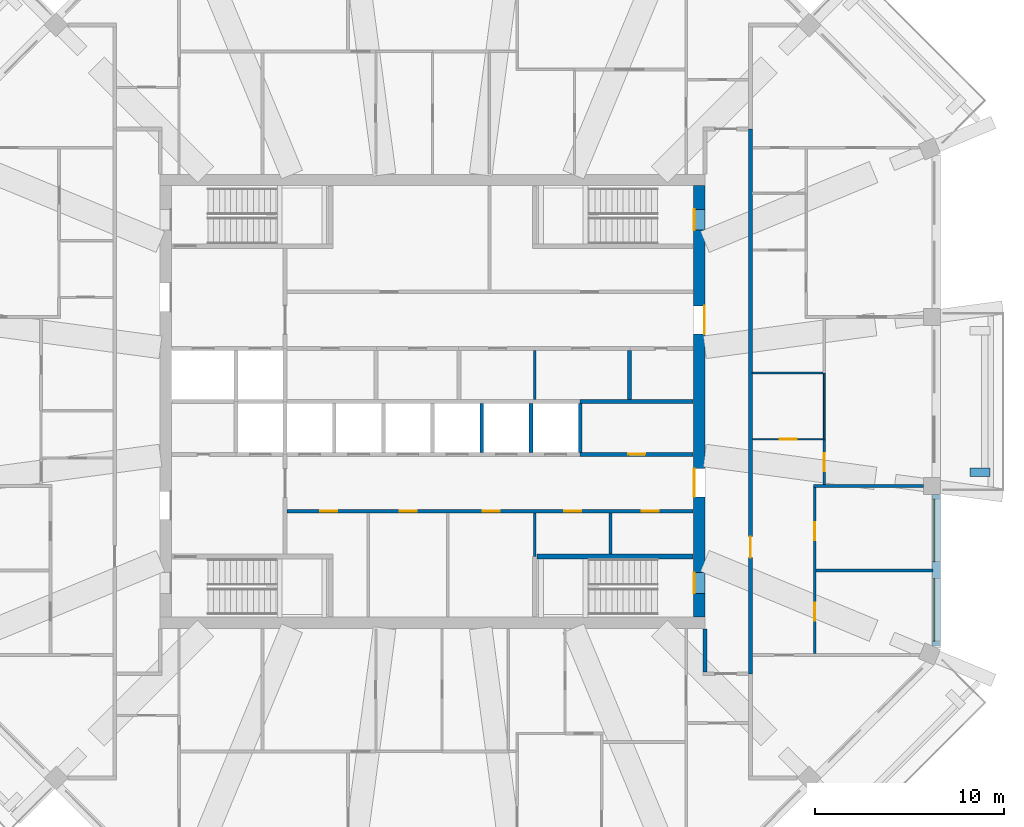
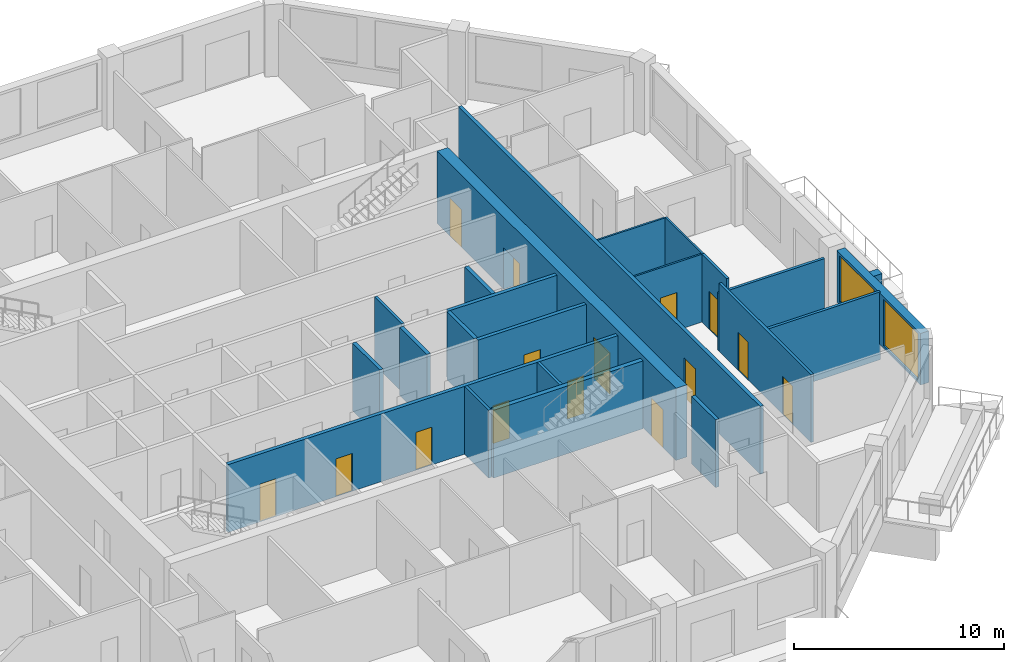
# One storey, part 6 of 12: 23 walls, 15 doors, 2 windows, 17 openings.
"""IFC4 building model written with IfcOpenShell, lengths in metres."""

from ifc_helpers import new_model, si_unit, direction, frame, frame_2d, origin, place, context, subcontext, project, spatial, rectangle, extrude, material, layer, layer_set, type_object, element, fill, save


model = new_model("IFC4")

# Units and contexts
model_context = context("Model", 3, precision=1e-05, world=origin(), true_north=direction((0.0, 1.0)))
body_context = subcontext(model_context, "Body", "Model", "MODEL_VIEW")
ifc_project = project(units=[si_unit("LENGTHUNIT", "METRE"), si_unit("AREAUNIT", "SQUARE_METRE"), si_unit("VOLUMEUNIT", "CUBIC_METRE"), si_unit("PLANEANGLEUNIT", "RADIAN"), si_unit("MASSUNIT", "GRAM", prefix="KILO")], contexts=[model_context])

# Site, building, storey
site_placement = place(None, origin())
site = spatial("IfcSite", under=ifc_project, at=site_placement, CompositionType="ELEMENT")
building_placement = place(site_placement, origin())
building = spatial("IfcBuilding", under=site, at=building_placement, Name="Msitu Wima Residences", CompositionType="ELEMENT")
storey_placement = place(building_placement, frame((0.0, 0.0, 213.89990234375)))
storey = spatial("IfcBuildingStorey", under=building, at=storey_placement, Name="L49", CompositionType="ELEMENT", Elevation=213.89990234375)

# Wall
ifc_material_1 = material(Name="Facing brick")
ifc_layer_1 = layer(ifc_material_1, 0.06494140625, Name="Facing brick")
ifc_material_2 = material(Name="Concrete C40/50", Category="concrete")
ifc_layer_2 = layer(ifc_material_2, 0.156005859375, Name="Concrete C40/50")
ifc_material_3 = material(Name="Waterproofing membrane")
ifc_layer_3 = layer(ifc_material_3, 0.00390625, Name="Waterproofing membrane")
ifc_material_4 = material(Name="Planting soil and planting")
ifc_layer_4 = layer(ifc_material_4, 0.22509765625, Name="Planting soil and planting")
ifc_layer_set_1 = layer_set([ifc_layer_1, ifc_layer_2, ifc_layer_3, ifc_layer_4], Name="Concrete C40/50")
wall_type_1 = type_object("IfcWallType", Name="Balcony planter PLANTER PL450", PredefinedType="USERDEFINED", material=ifc_layer_set_1)
wall_1_placement = place(storey_placement, frame((28.39990234375, -3.74365234375, 0.0), z_axis=(0.0, 0.0, 1.0), x_axis=(1.0, 0.0, 0.0)))
element("IfcWall", 1, at=wall_1_placement, inside=storey, type_object=wall_type_1, Name="Balcony planter E1 L49", ObjectType="PLANTER", PredefinedType="USERDEFINED", context=body_context, shape_type="SweptSolid", body=[
    extrude(rectangle(XDim=1.050048828125, YDim=0.449951171875, at=frame_2d((0.52490234375, 0.0))), origin(), (0.0, 0.0, 1.0), 0.900146484375),
])

# Wall, openings, windows
ifc_material_5 = material(Name="Brick (red buff mix)", Category="masonry")
ifc_layer_5 = layer(ifc_material_5, 0.449951171875)
ifc_layer_set_2 = layer_set([ifc_layer_5], Name="Brick (red buff mix)")
wall_type_2 = type_object("IfcWallType", Name="Brick infill wall BW450", PredefinedType="SOLIDWALL", material=ifc_layer_set_2)
wall_2_placement = place(storey_placement, frame((26.625, -12.918701171875, 0.900146484375), z_axis=(0.0, 0.0, 1.0), x_axis=(0.0, 1.0, 0.0)))
wall_2 = element("IfcWall", 2, at=wall_2_placement, inside=storey, type_object=wall_type_2, Name="Brick infill wall L49 E0", PredefinedType="SOLIDWALL", context=body_context, shape_type="SweptSolid", body=[
    extrude(rectangle(XDim=8.0, YDim=0.449951171875, at=frame_2d((4.0, 0.0))), origin(), (0.0, 0.0, 1.0), 3.0),
])
opening_1_placement = place(wall_2_placement, frame((0.25, 0.0, 0.14990234375)))
opening_1 = element("IfcOpeningElement", 3, at=opening_1_placement, cuts=wall_2, Name="Opening W49.001", PredefinedType="OPENING", context=body_context, shape_type="SweptSolid", body=[
    extrude(rectangle(XDim=3.300048828125, YDim=2.699951171875, at=frame_2d((1.64990234375, 1.35009765625))), frame((0.0, 0.23486328125, 0.0), z_axis=(0.0, -1.0, 0.0), x_axis=(1.0, 0.0, 0.0)), (0.0, 0.0, 1.0), 0.469970703125),
])
opening_2_placement = place(wall_2_placement, frame((4.4501953125, 0.0, 0.14990234375)))
opening_2 = element("IfcOpeningElement", 4, at=opening_2_placement, cuts=wall_2, Name="Opening W49.002", PredefinedType="OPENING", context=body_context, shape_type="SweptSolid", body=[
    extrude(rectangle(XDim=3.300048828125, YDim=2.699951171875, at=frame_2d((1.64990234375, 1.35009765625))), frame((0.0, 0.23486328125, 0.0), z_axis=(0.0, -1.0, 0.0), x_axis=(1.0, 0.0, 0.0)), (0.0, 0.0, 1.0), 0.469970703125),
])
ifc_material_6 = material(Name="Anodised aluminium, bronze finish, clear low-emissivity double glazing", Category="aluminium")
window_type = type_object("IfcWindowType", Name="Window W3300x2700", PartitioningType="DOUBLE_PANEL_VERTICAL", PredefinedType="WINDOW", material=ifc_material_6)
window_1_placement = place(opening_1_placement, origin())
window_1 = element("IfcWindow", 5, at=window_1_placement, inside=storey, type_object=window_type, Name="Window L49 E0.1", OverallHeight=2.699951171875, OverallWidth=3.300048828125, PartitioningType="SINGLE_PANEL", PredefinedType="WINDOW", context=body_context, shape_type="SweptSolid", body=[
    extrude(rectangle(XDim=3.300048828125, YDim=2.699951171875, at=frame_2d((1.64990234375, 1.35009765625))), frame((0.0, 0.135009765625, 0.0), z_axis=(0.0, -1.0, 0.0), x_axis=(1.0, 0.0, 0.0)), (0.0, 0.0, 1.0), 0.06005859375),
])
fill(opening_1, window_1)
window_2_placement = place(opening_2_placement, origin())
window_2 = element("IfcWindow", 6, at=window_2_placement, inside=storey, type_object=window_type, Name="Window L49 E0.2", OverallHeight=2.699951171875, OverallWidth=3.300048828125, PartitioningType="SINGLE_PANEL", PredefinedType="WINDOW", context=body_context, shape_type="SweptSolid", body=[
    extrude(rectangle(XDim=3.300048828125, YDim=2.699951171875, at=frame_2d((1.64990234375, 1.35009765625))), frame((0.0, 0.135009765625, 0.0), z_axis=(0.0, -1.0, 0.0), x_axis=(1.0, 0.0, 0.0)), (0.0, 0.0, 1.0), 0.06005859375),
])
fill(opening_2, window_2)

# Wall, openings, doors
ifc_material_7 = material(Name="Concrete C50/60", Category="concrete")
ifc_layer_6 = layer(ifc_material_7, 0.60009765625)
ifc_layer_set_3 = layer_set([ifc_layer_6], Name="Concrete C50/60")
wall_type_3 = type_object("IfcWallType", Name="Core wall CW600 C50/60", PredefinedType="SHEAR", material=ifc_layer_set_3)
wall_3_placement = place(storey_placement, frame((14.10009765625, -11.39990234375, 0.0), z_axis=(0.0, 0.0, 1.0), x_axis=(0.0, 1.0, 0.0)))
wall_3 = element("IfcWall", 7, at=wall_3_placement, inside=storey, type_object=wall_type_3, Name="Core wall", PredefinedType="SHEAR", context=body_context, shape_type="SweptSolid", body=[
    extrude(rectangle(XDim=22.7998046875, YDim=0.60009765625, at=frame_2d((11.39990234375, 0.0))), origin(), (0.0, 0.0, 1.0), 4.2001953125),
])
opening_3_placement = place(wall_3_placement, frame((20.449951171875, 0.0, 0.0)))
opening_3 = element("IfcOpeningElement", 8, at=opening_3_placement, cuts=wall_3, Name="Opening D49.084", PredefinedType="OPENING", context=body_context, shape_type="SweptSolid", body=[
    extrude(rectangle(XDim=1.10009765625, YDim=2.199951171875, at=frame_2d((0.550048828125, 1.10009765625))), frame((0.0, 0.31005859375, 0.0), z_axis=(0.0, -1.0, 0.0), x_axis=(1.0, 0.0, 0.0)), (0.0, 0.0, 1.0), 0.6201171875),
])
opening_4_placement = place(wall_3_placement, frame((1.25, 0.0, 0.0)))
opening_4 = element("IfcOpeningElement", 9, at=opening_4_placement, cuts=wall_3, Name="Opening D49.085", PredefinedType="OPENING", context=body_context, shape_type="SweptSolid", body=[
    extrude(rectangle(XDim=1.10009765625, YDim=2.199951171875, at=frame_2d((0.550048828125, 1.10009765625))), frame((0.0, 0.31005859375, 0.0), z_axis=(0.0, -1.0, 0.0), x_axis=(1.0, 0.0, 0.0)), (0.0, 0.0, 1.0), 0.6201171875),
])
opening_5_placement = place(wall_3_placement, frame((14.949951171875, 0.0, 0.0)))
opening_5 = element("IfcOpeningElement", 10, at=opening_5_placement, cuts=wall_3, Name="Opening D49.072", PredefinedType="OPENING", context=body_context, shape_type="SweptSolid", body=[
    extrude(rectangle(XDim=1.5, YDim=2.39990234375, at=frame_2d((0.75, 1.199951171875))), frame((0.0, 0.31005859375, 0.0), z_axis=(0.0, -1.0, 0.0), x_axis=(1.0, 0.0, 0.0)), (0.0, 0.0, 1.0), 0.6201171875),
])
opening_6_placement = place(wall_3_placement, frame((6.35009765625, 0.0, 0.0)))
opening_6 = element("IfcOpeningElement", 11, at=opening_6_placement, cuts=wall_3, Name="Opening D49.073", PredefinedType="OPENING", context=body_context, shape_type="SweptSolid", body=[
    extrude(rectangle(XDim=1.5, YDim=2.39990234375, at=frame_2d((0.75, 1.199951171875))), frame((0.0, 0.31005859375, 0.0), z_axis=(0.0, -1.0, 0.0), x_axis=(1.0, 0.0, 0.0)), (0.0, 0.0, 1.0), 0.6201171875),
])
ifc_material_8 = material(Name="Steel framed glazed door, fire resisting", Category="steel")
door_type_1 = type_object("IfcDoorType", Name="Lobby door D07 1500x2400", OperationType="DOUBLE_DOOR_SINGLE_SWING", PredefinedType="DOOR", material=ifc_material_8)
door_1_placement = place(opening_5_placement, origin())
door_1 = element("IfcDoor", 12, at=door_1_placement, inside=storey, type_object=door_type_1, Name="Lobby door", OperationType="DOUBLE_DOOR_SINGLE_SWING", OverallHeight=2.39990234375, OverallWidth=1.5, PredefinedType="DOOR", context=body_context, shape_type="SweptSolid", body=[
    extrude(rectangle(XDim=1.5, YDim=2.39990234375, at=frame_2d((0.75, 1.199951171875))), frame((0.0, -0.2451171875, 0.0), z_axis=(0.0, -1.0, 0.0), x_axis=(1.0, 0.0, 0.0)), (0.0, 0.0, 1.0), 0.050048828125),
])
fill(opening_5, door_1)
door_2_placement = place(opening_6_placement, origin())
door_2 = element("IfcDoor", 13, at=door_2_placement, inside=storey, type_object=door_type_1, Name="Lobby door", OperationType="DOUBLE_DOOR_SINGLE_SWING", OverallHeight=2.39990234375, OverallWidth=1.5, PredefinedType="DOOR", context=body_context, shape_type="SweptSolid", body=[
    extrude(rectangle(XDim=1.5, YDim=2.39990234375, at=frame_2d((0.75, 1.199951171875))), frame((0.0, 0.294921875, 0.0), z_axis=(0.0, -1.0, 0.0), x_axis=(1.0, 0.0, 0.0)), (0.0, 0.0, 1.0), 0.050048828125),
])
fill(opening_6, door_2)
ifc_material_9 = material(Name="Steel door, fire resisting, panic bar", Category="steel")
door_type_2 = type_object("IfcDoorType", Name="Stair door D06 1100x2200", OperationType="SINGLE_SWING_LEFT", PredefinedType="DOOR", material=ifc_material_9)
door_3_placement = place(opening_3_placement, origin())
door_3 = element("IfcDoor", 14, at=door_3_placement, inside=storey, type_object=door_type_2, Name="Stair door", OperationType="SINGLE_SWING_LEFT", OverallHeight=2.199951171875, OverallWidth=1.10009765625, PredefinedType="DOOR", context=body_context, shape_type="SweptSolid", body=[
    extrude(rectangle(XDim=1.10009765625, YDim=2.199951171875, at=frame_2d((0.550048828125, 1.10009765625))), frame((0.0, 0.294921875, 0.0), z_axis=(0.0, -1.0, 0.0), x_axis=(1.0, 0.0, 0.0)), (0.0, 0.0, 1.0), 0.050048828125),
])
fill(opening_3, door_3)
door_4_placement = place(opening_4_placement, origin())
door_4 = element("IfcDoor", 15, at=door_4_placement, inside=storey, type_object=door_type_2, Name="Stair door", OperationType="SINGLE_SWING_RIGHT", OverallHeight=2.199951171875, OverallWidth=1.10009765625, PredefinedType="DOOR", context=body_context, shape_type="SweptSolid", body=[
    extrude(rectangle(XDim=1.10009765625, YDim=2.199951171875, at=frame_2d((0.550048828125, 1.10009765625))), frame((0.0, 0.294921875, 0.0), z_axis=(0.0, -1.0, 0.0), x_axis=(1.0, 0.0, 0.0)), (0.0, 0.0, 1.0), 0.050048828125),
])
fill(opening_4, door_4)

ifc_material_10 = material(Name="Plaster")
ifc_layer_7 = layer(ifc_material_10, 0.011962890625, Name="Plaster")
ifc_material_11 = material(Name="Concrete blockwork", Category="masonry")
ifc_layer_8 = layer(ifc_material_11, 0.176025390625, Name="Concrete blockwork")
ifc_layer_9 = layer(ifc_material_10, 0.011962890625, Name="Plaster")
ifc_layer_set_4 = layer_set([ifc_layer_7, ifc_layer_8, ifc_layer_9], Name="Concrete blockwork")
wall_type_4 = type_object("IfcWallType", Name="Corridor wall FW200", PredefinedType="PARTITIONING", material=ifc_layer_set_4)
wall_4_placement = place(storey_placement, frame((-7.699951171875, -5.800048828125, 0.0), z_axis=(0.0, 0.0, 1.0), x_axis=(1.0, 0.0, 0.0)))
wall_4 = element("IfcWall", 16, at=wall_4_placement, inside=storey, type_object=wall_type_4, Name="Corridor wall", PredefinedType="PARTITIONING", context=body_context, shape_type="SweptSolid", body=[
    extrude(rectangle(XDim=21.469970703125, YDim=0.199951171875, at=frame_2d((10.73486328125, 0.0))), origin(), (0.0, 0.0, 1.0), 3.9501953125),
])
opening_7_placement = place(wall_4_placement, frame((1.75, 0.0, 0.0)))
opening_7 = element("IfcOpeningElement", 17, at=opening_7_placement, cuts=wall_4, Name="Opening D49.067", PredefinedType="OPENING", context=body_context, shape_type="SweptSolid", body=[
    extrude(rectangle(XDim=0.89990234375, YDim=2.199951171875, at=frame_2d((0.449951171875, 1.10009765625))), frame((0.0, 0.10986328125, 0.0), z_axis=(0.0, -1.0, 0.0), x_axis=(1.0, 0.0, 0.0)), (0.0, 0.0, 1.0), 0.219970703125),
])
opening_8_placement = place(wall_4_placement, frame((5.949951171875, 0.0, 0.0)))
opening_8 = element("IfcOpeningElement", 18, at=opening_8_placement, cuts=wall_4, Name="Opening D49.068", PredefinedType="OPENING", context=body_context, shape_type="SweptSolid", body=[
    extrude(rectangle(XDim=0.89990234375, YDim=2.199951171875, at=frame_2d((0.449951171875, 1.10009765625))), frame((0.0, 0.10986328125, 0.0), z_axis=(0.0, -1.0, 0.0), x_axis=(1.0, 0.0, 0.0)), (0.0, 0.0, 1.0), 0.219970703125),
])
opening_9_placement = place(wall_4_placement, frame((10.35009765625, 0.0, 0.0)))
opening_9 = element("IfcOpeningElement", 19, at=opening_9_placement, cuts=wall_4, Name="Opening D49.069", PredefinedType="OPENING", context=body_context, shape_type="SweptSolid", body=[
    extrude(rectangle(XDim=0.89990234375, YDim=2.199951171875, at=frame_2d((0.449951171875, 1.10009765625))), frame((0.0, 0.10986328125, 0.0), z_axis=(0.0, -1.0, 0.0), x_axis=(1.0, 0.0, 0.0)), (0.0, 0.0, 1.0), 0.219970703125),
])
opening_10_placement = place(wall_4_placement, frame((14.64990234375, 0.0, 0.0)))
opening_10 = element("IfcOpeningElement", 20, at=opening_10_placement, cuts=wall_4, Name="Opening D49.070", PredefinedType="OPENING", context=body_context, shape_type="SweptSolid", body=[
    extrude(rectangle(XDim=0.89990234375, YDim=2.199951171875, at=frame_2d((0.449951171875, 1.10009765625))), frame((0.0, 0.10986328125, 0.0), z_axis=(0.0, -1.0, 0.0), x_axis=(1.0, 0.0, 0.0)), (0.0, 0.0, 1.0), 0.219970703125),
])
opening_11_placement = place(wall_4_placement, frame((18.75, 0.0, 0.0)))
opening_11 = element("IfcOpeningElement", 21, at=opening_11_placement, cuts=wall_4, Name="Opening D49.071", PredefinedType="OPENING", context=body_context, shape_type="SweptSolid", body=[
    extrude(rectangle(XDim=0.89990234375, YDim=2.199951171875, at=frame_2d((0.449951171875, 1.10009765625))), frame((0.0, 0.10986328125, 0.0), z_axis=(0.0, -1.0, 0.0), x_axis=(1.0, 0.0, 0.0)), (0.0, 0.0, 1.0), 0.219970703125),
])
ifc_material_12 = material(Name="Timber flush door", Category="wood")
door_type_3 = type_object("IfcDoorType", Name="Service door D05 900x2200", OperationType="SINGLE_SWING_LEFT", PredefinedType="DOOR", material=ifc_material_12)
door_5_placement = place(opening_7_placement, origin())
door_5 = element("IfcDoor", 22, at=door_5_placement, inside=storey, type_object=door_type_3, Name="Service door", OperationType="SINGLE_SWING_LEFT", OverallHeight=2.199951171875, OverallWidth=0.89990234375, PredefinedType="DOOR", context=body_context, shape_type="SweptSolid", body=[
    extrude(rectangle(XDim=0.89990234375, YDim=2.199951171875, at=frame_2d((0.449951171875, 1.10009765625))), frame((0.0, 0.02490234375, 0.0), z_axis=(0.0, -1.0, 0.0), x_axis=(1.0, 0.0, 0.0)), (0.0, 0.0, 1.0), 0.050048828125),
])
fill(opening_7, door_5)
door_6_placement = place(opening_8_placement, origin())
door_6 = element("IfcDoor", 23, at=door_6_placement, inside=storey, type_object=door_type_3, Name="Service door", OperationType="SINGLE_SWING_RIGHT", OverallHeight=2.199951171875, OverallWidth=0.89990234375, PredefinedType="DOOR", context=body_context, shape_type="SweptSolid", body=[
    extrude(rectangle(XDim=0.89990234375, YDim=2.199951171875, at=frame_2d((0.449951171875, 1.10009765625))), frame((0.0, 0.02490234375, 0.0), z_axis=(0.0, -1.0, 0.0), x_axis=(1.0, 0.0, 0.0)), (0.0, 0.0, 1.0), 0.050048828125),
])
fill(opening_8, door_6)
door_7_placement = place(opening_9_placement, origin())
door_7 = element("IfcDoor", 24, at=door_7_placement, inside=storey, type_object=door_type_3, Name="Service door", OperationType="SINGLE_SWING_LEFT", OverallHeight=2.199951171875, OverallWidth=0.89990234375, PredefinedType="DOOR", context=body_context, shape_type="SweptSolid", body=[
    extrude(rectangle(XDim=0.89990234375, YDim=2.199951171875, at=frame_2d((0.449951171875, 1.10009765625))), frame((0.0, 0.02490234375, 0.0), z_axis=(0.0, -1.0, 0.0), x_axis=(1.0, 0.0, 0.0)), (0.0, 0.0, 1.0), 0.050048828125),
])
fill(opening_9, door_7)
door_8_placement = place(opening_10_placement, origin())
door_8 = element("IfcDoor", 25, at=door_8_placement, inside=storey, type_object=door_type_3, Name="Service door", OperationType="SINGLE_SWING_LEFT", OverallHeight=2.199951171875, OverallWidth=0.89990234375, PredefinedType="DOOR", context=body_context, shape_type="SweptSolid", body=[
    extrude(rectangle(XDim=0.89990234375, YDim=2.199951171875, at=frame_2d((0.449951171875, 1.10009765625))), frame((0.0, 0.02490234375, 0.0), z_axis=(0.0, -1.0, 0.0), x_axis=(1.0, 0.0, 0.0)), (0.0, 0.0, 1.0), 0.050048828125),
])
fill(opening_10, door_8)
door_9_placement = place(opening_11_placement, origin())
door_9 = element("IfcDoor", 26, at=door_9_placement, inside=storey, type_object=door_type_3, Name="Service door", OperationType="SINGLE_SWING_RIGHT", OverallHeight=2.199951171875, OverallWidth=0.89990234375, PredefinedType="DOOR", context=body_context, shape_type="SweptSolid", body=[
    extrude(rectangle(XDim=0.89990234375, YDim=2.199951171875, at=frame_2d((0.449951171875, 1.10009765625))), frame((0.0, 0.02490234375, 0.0), z_axis=(0.0, -1.0, 0.0), x_axis=(1.0, 0.0, 0.0)), (0.0, 0.0, 1.0), 0.050048828125),
])
fill(opening_11, door_9)

# Wall
wall_5_placement = place(storey_placement, frame((14.39990234375, -14.300048828125, 0.0), z_axis=(0.0, 0.0, 1.0), x_axis=(0.0, 1.0, 0.0)))
element("IfcWall", 27, at=wall_5_placement, inside=storey, type_object=wall_type_4, Name="Corridor wall", PredefinedType="PARTITIONING", context=body_context, shape_type="SweptSolid", body=[
    extrude(rectangle(XDim=2.27001953125, YDim=0.199951171875, at=frame_2d((1.135009765625, 0.0))), origin(), (0.0, 0.0, 1.0), 3.9501953125),
])

# Wall, opening, door
wall_6_placement = place(storey_placement, frame((16.800048828125, -14.39990234375, 0.0), z_axis=(0.0, 0.0, 1.0), x_axis=(0.0, 1.0, 0.0)))
wall_6 = element("IfcWall", 28, at=wall_6_placement, inside=storey, type_object=wall_type_4, Name="Corridor wall", PredefinedType="PARTITIONING", context=body_context, shape_type="SweptSolid", body=[
    extrude(rectangle(XDim=28.7998046875, YDim=0.199951171875, at=frame_2d((14.39990234375, 0.0))), origin(), (0.0, 0.0, 1.0), 3.9501953125),
])
opening_12_placement = place(wall_6_placement, frame((6.14990234375, 0.0, 0.0)))
opening_12 = element("IfcOpeningElement", 29, at=opening_12_placement, cuts=wall_6, Name="Opening D49.011", PredefinedType="OPENING", context=body_context, shape_type="SweptSolid", body=[
    extrude(rectangle(XDim=1.10009765625, YDim=2.39990234375, at=frame_2d((0.550048828125, 1.199951171875))), frame((0.0, 0.10986328125, 0.0), z_axis=(0.0, -1.0, 0.0), x_axis=(1.0, 0.0, 0.0)), (0.0, 0.0, 1.0), 0.219970703125),
])
ifc_material_13 = material(Name="Timber flush door, fire resisting, self-closing", Category="wood")
door_type_4 = type_object("IfcDoorType", Name="Flat entrance door D01 1100x2400", OperationType="SINGLE_SWING_LEFT", PredefinedType="DOOR", material=ifc_material_13)
door_10_placement = place(opening_12_placement, origin())
door_10 = element("IfcDoor", 30, at=door_10_placement, inside=storey, type_object=door_type_4, Name="Flat entrance door", OperationType="SINGLE_SWING_RIGHT", OverallHeight=2.39990234375, OverallWidth=1.10009765625, PredefinedType="DOOR", context=body_context, shape_type="SweptSolid", body=[
    extrude(rectangle(XDim=1.10009765625, YDim=2.39990234375, at=frame_2d((0.550048828125, 1.199951171875))), frame((0.0, 0.02490234375, 0.0), z_axis=(0.0, -1.0, 0.0), x_axis=(1.0, 0.0, 0.0)), (0.0, 0.0, 1.0), 0.050048828125),
])
fill(opening_12, door_10)

# Walls
ifc_layer_10 = layer(ifc_material_10, 0.011962890625, Name="Plaster")
ifc_layer_11 = layer(ifc_material_11, 0.1259765625, Name="Concrete blockwork")
ifc_layer_12 = layer(ifc_material_10, 0.011962890625, Name="Plaster")
ifc_layer_set_5 = layer_set([ifc_layer_10, ifc_layer_11, ifc_layer_12], Name="Concrete blockwork")
wall_type_5 = type_object("IfcWallType", Name="Partition PW150", PredefinedType="PARTITIONING", material=ifc_layer_set_5)
wall_7_placement = place(storey_placement, frame((5.39990234375, -8.199951171875, 0.0), z_axis=(0.0, 0.0, 1.0), x_axis=(0.0, 1.0, 0.0)))
element("IfcWall", 31, at=wall_7_placement, inside=storey, type_object=wall_type_5, Name="Partition", PredefinedType="PARTITIONING", context=body_context, shape_type="SweptSolid", body=[
    extrude(rectangle(XDim=2.300048828125, YDim=0.14990234375, at=frame_2d((1.14990234375, 0.0))), origin(), (0.0, 0.0, 1.0), 3.9501953125),
])
wall_8_placement = place(storey_placement, frame((5.39990234375, 0.10009765625, 0.0), z_axis=(0.0, 0.0, 1.0), x_axis=(0.0, 1.0, 0.0)))
element("IfcWall", 32, at=wall_8_placement, inside=storey, type_object=wall_type_5, Name="Partition", PredefinedType="PARTITIONING", context=body_context, shape_type="SweptSolid", body=[
    extrude(rectangle(XDim=2.599853515625, YDim=0.14990234375, at=frame_2d((1.2998046875, 0.0))), origin(), (0.0, 0.0, 1.0), 3.9501953125),
])
wall_9_placement = place(storey_placement, frame((9.39990234375, -8.074951171875, 0.0), z_axis=(0.0, 0.0, 1.0), x_axis=(0.0, 1.0, 0.0)))
element("IfcWall", 33, at=wall_9_placement, inside=storey, type_object=wall_type_5, Name="Partition", PredefinedType="PARTITIONING", context=body_context, shape_type="SweptSolid", body=[
    extrude(rectangle(XDim=2.175048828125, YDim=0.14990234375, at=frame_2d((1.08740234375, 0.0))), origin(), (0.0, 0.0, 1.0), 3.9501953125),
])

# Wall, openings, doors
wall_10_placement = place(storey_placement, frame((20.199951171875, -13.330810546875, 0.0), z_axis=(0.0, 0.0, 1.0), x_axis=(0.0, 1.0, 0.0)))
wall_10 = element("IfcWall", 34, at=wall_10_placement, inside=storey, type_object=wall_type_5, Name="Partition", PredefinedType="PARTITIONING", context=body_context, shape_type="SweptSolid", body=[
    extrude(rectangle(XDim=8.787109375, YDim=0.14990234375, at=frame_2d((4.3935546875, 0.0))), origin(), (0.0, 0.0, 1.0), 3.9501953125),
])
opening_13_placement = place(wall_10_placement, frame((1.75, 0.0, 0.0)))
opening_13 = element("IfcOpeningElement", 35, at=opening_13_placement, cuts=wall_10, Name="Opening D49.015", PredefinedType="OPENING", context=body_context, shape_type="SweptSolid", body=[
    extrude(rectangle(XDim=0.949951171875, YDim=2.199951171875, at=frame_2d((0.47509765625, 1.10009765625))), frame((0.0, 0.0849609375, 0.0), z_axis=(0.0, -1.0, 0.0), x_axis=(1.0, 0.0, 0.0)), (0.0, 0.0, 1.0), 0.169921875),
])
opening_14_placement = place(wall_10_placement, frame((6.0, 0.0, 0.0)))
opening_14 = element("IfcOpeningElement", 36, at=opening_14_placement, cuts=wall_10, Name="Opening D49.016", PredefinedType="OPENING", context=body_context, shape_type="SweptSolid", body=[
    extrude(rectangle(XDim=0.949951171875, YDim=2.199951171875, at=frame_2d((0.47509765625, 1.10009765625))), frame((0.0, 0.0849609375, 0.0), z_axis=(0.0, -1.0, 0.0), x_axis=(1.0, 0.0, 0.0)), (0.0, 0.0, 1.0), 0.169921875),
])
door_type_5 = type_object("IfcDoorType", Name="Room door D12 950x2200", OperationType="SINGLE_SWING_LEFT", PredefinedType="DOOR", material=ifc_material_12)
door_11_placement = place(opening_13_placement, origin())
door_11 = element("IfcDoor", 37, at=door_11_placement, inside=storey, type_object=door_type_5, Name="Room door", OperationType="SINGLE_SWING_LEFT", OverallHeight=2.199951171875, OverallWidth=0.949951171875, PredefinedType="DOOR", context=body_context, shape_type="SweptSolid", body=[
    extrude(rectangle(XDim=0.949951171875, YDim=2.199951171875, at=frame_2d((0.47509765625, 1.10009765625))), frame((0.0, 0.02490234375, 0.0), z_axis=(0.0, -1.0, 0.0), x_axis=(1.0, 0.0, 0.0)), (0.0, 0.0, 1.0), 0.050048828125),
])
fill(opening_13, door_11)
door_12_placement = place(opening_14_placement, origin())
door_12 = element("IfcDoor", 38, at=door_12_placement, inside=storey, type_object=door_type_5, Name="Room door", OperationType="SINGLE_SWING_RIGHT", OverallHeight=2.199951171875, OverallWidth=0.949951171875, PredefinedType="DOOR", context=body_context, shape_type="SweptSolid", body=[
    extrude(rectangle(XDim=0.949951171875, YDim=2.199951171875, at=frame_2d((0.47509765625, 1.10009765625))), frame((0.0, 0.02490234375, 0.0), z_axis=(0.0, -1.0, 0.0), x_axis=(1.0, 0.0, 0.0)), (0.0, 0.0, 1.0), 0.050048828125),
])
fill(opening_14, door_12)

# Walls
wall_11_placement = place(storey_placement, frame((20.27490234375, -8.937255859375, 0.0), z_axis=(0.0, 0.0, 1.0), x_axis=(1.0, 0.0, 0.0)))
element("IfcWall", 39, at=wall_11_placement, inside=storey, type_object=wall_type_5, Name="Partition", PredefinedType="PARTITIONING", context=body_context, shape_type="SweptSolid", body=[
    extrude(rectangle(XDim=6.18017578125, YDim=0.14990234375, at=frame_2d((3.090087890625, 0.0))), origin(), (0.0, 0.0, 1.0), 3.9501953125),
])
wall_12_placement = place(storey_placement, frame((20.125, -4.46875, 0.0), z_axis=(0.0, 0.0, 1.0), x_axis=(1.0, 0.0, 0.0)))
element("IfcWall", 40, at=wall_12_placement, inside=storey, type_object=wall_type_5, Name="Partition", PredefinedType="PARTITIONING", context=body_context, shape_type="SweptSolid", body=[
    extrude(rectangle(XDim=5.824951171875, YDim=0.14990234375, at=frame_2d((2.91259765625, 0.0))), origin(), (0.0, 0.0, 1.0), 3.35009765625),
])

# Wall, opening, door
wall_13_placement = place(storey_placement, frame((20.699951171875, -4.3935546875, 0.0), z_axis=(0.0, 0.0, 1.0), x_axis=(0.0, 1.0, 0.0)))
wall_13 = element("IfcWall", 41, at=wall_13_placement, inside=storey, type_object=wall_type_5, Name="Partition", PredefinedType="PARTITIONING", context=body_context, shape_type="SweptSolid", body=[
    extrude(rectangle(XDim=2.37353515625, YDim=0.14990234375, at=frame_2d((1.186767578125, 0.0))), origin(), (0.0, 0.0, 1.0), 3.9501953125),
])
opening_15_placement = place(wall_13_placement, frame((0.699951171875, 0.0, 0.0)))
opening_15 = element("IfcOpeningElement", 42, at=opening_15_placement, cuts=wall_13, Name="Opening D49.017", PredefinedType="OPENING", context=body_context, shape_type="SweptSolid", body=[
    extrude(rectangle(XDim=0.949951171875, YDim=2.199951171875, at=frame_2d((0.47509765625, 1.10009765625))), frame((0.0, 0.0849609375, 0.0), z_axis=(0.0, -1.0, 0.0), x_axis=(1.0, 0.0, 0.0)), (0.0, 0.0, 1.0), 0.169921875),
])
door_13_placement = place(opening_15_placement, origin())
door_13 = element("IfcDoor", 43, at=door_13_placement, inside=storey, type_object=door_type_5, Name="Room door", OperationType="SINGLE_SWING_RIGHT", OverallHeight=2.199951171875, OverallWidth=0.949951171875, PredefinedType="DOOR", context=body_context, shape_type="SweptSolid", body=[
    extrude(rectangle(XDim=0.949951171875, YDim=2.199951171875, at=frame_2d((0.47509765625, 1.10009765625))), frame((0.0, 0.02490234375, 0.0), z_axis=(0.0, -1.0, 0.0), x_axis=(1.0, 0.0, 0.0)), (0.0, 0.0, 1.0), 0.050048828125),
])
fill(opening_15, door_13)

ifc_layer_13 = layer(ifc_material_10, 0.011962890625, Name="Plaster")
ifc_material_14 = material(Name="Reinforced concrete blockwork", Category="masonry")
ifc_layer_14 = layer(ifc_material_14, 0.176025390625, Name="Reinforced concrete blockwork")
ifc_layer_15 = layer(ifc_material_10, 0.011962890625, Name="Plaster")
ifc_layer_set_6 = layer_set([ifc_layer_13, ifc_layer_14, ifc_layer_15], Name="Reinforced concrete blockwork")
wall_type_6 = type_object("IfcWallType", Name="Plant and riser wall PL200", PredefinedType="PARTITIONING", material=ifc_layer_set_6)
wall_14_placement = place(storey_placement, frame((7.800048828125, -2.800048828125, 0.0), z_axis=(0.0, 0.0, 1.0), x_axis=(1.0, 0.0, 0.0)))
wall_14 = element("IfcWall", 44, at=wall_14_placement, inside=storey, type_object=wall_type_6, Name="Plant and riser wall", PredefinedType="PARTITIONING", context=body_context, shape_type="SweptSolid", body=[
    extrude(rectangle(XDim=5.969970703125, YDim=0.199951171875, at=frame_2d((2.98486328125, 0.0))), origin(), (0.0, 0.0, 1.0), 3.9501953125),
])
opening_16_placement = place(wall_14_placement, frame((2.550048828125, 0.0, 0.0)))
opening_16 = element("IfcOpeningElement", 45, at=opening_16_placement, cuts=wall_14, Name="Opening D49.060", PredefinedType="OPENING", context=body_context, shape_type="SweptSolid", body=[
    extrude(rectangle(XDim=0.89990234375, YDim=2.199951171875, at=frame_2d((0.449951171875, 1.10009765625))), frame((0.0, 0.10986328125, 0.0), z_axis=(0.0, -1.0, 0.0), x_axis=(1.0, 0.0, 0.0)), (0.0, 0.0, 1.0), 0.219970703125),
])
door_14_placement = place(opening_16_placement, origin())
door_14 = element("IfcDoor", 46, at=door_14_placement, inside=storey, type_object=door_type_3, Name="Service door", OperationType="SINGLE_SWING_LEFT", OverallHeight=2.199951171875, OverallWidth=0.89990234375, PredefinedType="DOOR", context=body_context, shape_type="SweptSolid", body=[
    extrude(rectangle(XDim=0.89990234375, YDim=2.199951171875, at=frame_2d((0.449951171875, 1.10009765625))), frame((0.0, 0.02490234375, 0.0), z_axis=(0.0, -1.0, 0.0), x_axis=(1.0, 0.0, 0.0)), (0.0, 0.0, 1.0), 0.050048828125),
])
fill(opening_16, door_14)

# Walls
wall_15_placement = place(storey_placement, frame((7.800048828125, 0.0, 0.0), z_axis=(0.0, 0.0, 1.0), x_axis=(1.0, 0.0, 0.0)))
element("IfcWall", 47, at=wall_15_placement, inside=storey, type_object=wall_type_6, Name="Plant and riser wall", PredefinedType="PARTITIONING", context=body_context, shape_type="SweptSolid", body=[
    extrude(rectangle(XDim=5.969970703125, YDim=0.199951171875, at=frame_2d((2.98486328125, 0.0))), origin(), (0.0, 0.0, 1.0), 3.9501953125),
])
wall_16_placement = place(storey_placement, frame((10.39990234375, 0.10009765625, 0.0), z_axis=(0.0, 0.0, 1.0), x_axis=(0.0, 1.0, 0.0)))
element("IfcWall", 48, at=wall_16_placement, inside=storey, type_object=wall_type_6, Name="Plant and riser wall", PredefinedType="PARTITIONING", context=body_context, shape_type="SweptSolid", body=[
    extrude(rectangle(XDim=2.599853515625, YDim=0.199951171875, at=frame_2d((1.2998046875, 0.0))), origin(), (0.0, 0.0, 1.0), 3.9501953125),
])
ifc_material_15 = material(Name="Fire-rated board")
ifc_layer_16 = layer(ifc_material_15, 0.02490234375, Name="Fire-rated board")
ifc_material_16 = material(Name="Light-gauge stud framing with mineral wool")
ifc_layer_17 = layer(ifc_material_16, 0.14990234375, Name="Light-gauge stud framing with mineral wool")
ifc_layer_18 = layer(ifc_material_15, 0.02490234375, Name="Fire-rated board")
ifc_layer_set_7 = layer_set([ifc_layer_16, ifc_layer_17, ifc_layer_18], Name="Light-gauge stud framing with mineral wool")
wall_type_7 = type_object("IfcWallType", Name="Shaft wall SH200", PredefinedType="PARTITIONING", material=ifc_layer_set_7)
for number, where, z_axis, x_axis, name in (
    (49, (2.60009765625, -2.699951171875, 0.0), (0.0, 0.0, 1.0), (0.0, 1.0, 0.0), "Shaft wall"),
    (50, (5.199951171875, -2.699951171875, 0.0), (0.0, 0.0, 1.0), (0.0, 1.0, 0.0), "Shaft wall"),
    (51, (7.800048828125, -2.699951171875, 0.0), (0.0, 0.0, 1.0), (0.0, 1.0, 0.0), "Shaft wall"),
):
    element("IfcWall", number, at=place(storey_placement, frame(where, z_axis=z_axis, x_axis=x_axis)), inside=storey, type_object=wall_type_7, Name=name, PredefinedType="PARTITIONING", context=body_context, shape_type="SweptSolid", body=[
        extrude(rectangle(XDim=2.599853515625, YDim=0.199951171875, at=frame_2d((1.2998046875, 0.0))), origin(), (0.0, 0.0, 1.0), 3.9501953125),
    ])
ifc_layer_19 = layer(ifc_material_7, 0.25)
ifc_layer_set_8 = layer_set([ifc_layer_19], Name="Concrete C50/60")
wall_type_8 = type_object("IfcWallType", Name="Stair enclosure wall SW250", PredefinedType="SHEAR", material=ifc_layer_set_8)
wall_17_placement = place(storey_placement, frame((5.52490234375, -8.199951171875, 0.0), z_axis=(0.0, 0.0, 1.0), x_axis=(1.0, 0.0, 0.0)))
element("IfcWall", 52, at=wall_17_placement, inside=storey, type_object=wall_type_8, Name="Stair enclosure wall", PredefinedType="SHEAR", context=body_context, shape_type="SweptSolid", body=[
    extrude(rectangle(XDim=8.2451171875, YDim=0.25, at=frame_2d((4.12255859375, 0.0))), origin(), (0.0, 0.0, 1.0), 3.9501953125),
])

# Wall, opening, door
ifc_material_17 = material(Name="Ceramic tiles")
ifc_layer_20 = layer(ifc_material_17, 0.008056640625, Name="Ceramic tiles")
ifc_material_18 = material(Name="Moisture-resistant board")
ifc_layer_21 = layer(ifc_material_18, 0.012451171875, Name="Moisture-resistant board")
ifc_layer_22 = layer(ifc_material_16, 0.06689453125, Name="Light-gauge stud framing with mineral wool")
ifc_layer_23 = layer(ifc_material_18, 0.012451171875, Name="Moisture-resistant board")
ifc_layer_set_9 = layer_set([ifc_layer_20, ifc_layer_21, ifc_layer_22, ifc_layer_23], Name="Light-gauge stud framing with mineral wool")
wall_type_9 = type_object("IfcWallType", Name="Wet wall PW100", PredefinedType="PARTITIONING", material=ifc_layer_set_9)
wall_18_placement = place(storey_placement, frame((16.89990234375, -2.0, 0.0), z_axis=(0.0, 0.0, 1.0), x_axis=(1.0, 0.0, 0.0)))
wall_18 = element("IfcWall", 53, at=wall_18_placement, inside=storey, type_object=wall_type_9, Name="Wet wall", PredefinedType="PARTITIONING", context=body_context, shape_type="SweptSolid", body=[
    extrude(rectangle(XDim=3.75, YDim=0.10009765625, at=frame_2d((1.875, 0.0))), origin(), (0.0, 0.0, 1.0), 3.9501953125),
])
opening_17_placement = place(wall_18_placement, frame((1.449951171875, 0.0, 0.0)))
opening_17 = element("IfcOpeningElement", 54, at=opening_17_placement, cuts=wall_18, Name="Opening D49.014", PredefinedType="OPENING", context=body_context, shape_type="SweptSolid", body=[
    extrude(rectangle(XDim=0.89990234375, YDim=2.199951171875, at=frame_2d((0.449951171875, 1.10009765625))), frame((0.0, 0.06005859375, 0.0), z_axis=(0.0, -1.0, 0.0), x_axis=(1.0, 0.0, 0.0)), (0.0, 0.0, 1.0), 0.1201171875),
])
ifc_material_19 = material(Name="Timber flush door, moisture resistant", Category="wood")
door_type_6 = type_object("IfcDoorType", Name="Bathroom door D03 900x2200", OperationType="SINGLE_SWING_LEFT", PredefinedType="DOOR", material=ifc_material_19)
door_15_placement = place(opening_17_placement, origin())
door_15 = element("IfcDoor", 55, at=door_15_placement, inside=storey, type_object=door_type_6, Name="Bathroom door", OperationType="SINGLE_SWING_RIGHT", OverallHeight=2.199951171875, OverallWidth=0.89990234375, PredefinedType="DOOR", context=body_context, shape_type="SweptSolid", body=[
    extrude(rectangle(XDim=0.89990234375, YDim=2.199951171875, at=frame_2d((0.449951171875, 1.10009765625))), frame((0.0, 0.02490234375, 0.0), z_axis=(0.0, -1.0, 0.0), x_axis=(1.0, 0.0, 0.0)), (0.0, 0.0, 1.0), 0.050048828125),
])
fill(opening_17, door_15)

# Walls
wall_19_placement = place(storey_placement, frame((16.89990234375, 1.5, 0.0), z_axis=(0.0, 0.0, 1.0), x_axis=(1.0, 0.0, 0.0)))
element("IfcWall", 56, at=wall_19_placement, inside=storey, type_object=wall_type_9, Name="Wet wall", PredefinedType="PARTITIONING", context=body_context, shape_type="SweptSolid", body=[
    extrude(rectangle(XDim=3.72509765625, YDim=0.10009765625, at=frame_2d((1.862548828125, 0.0))), origin(), (0.0, 0.0, 1.0), 3.9501953125),
])
wall_20_placement = place(storey_placement, frame((20.699951171875, -2.02001953125, 0.0), z_axis=(0.0, 0.0, 1.0), x_axis=(0.0, 1.0, 0.0)))
element("IfcWall", 57, at=wall_20_placement, inside=storey, type_object=wall_type_9, Name="Wet wall", PredefinedType="PARTITIONING", context=body_context, shape_type="SweptSolid", body=[
    extrude(rectangle(XDim=3.52001953125, YDim=0.10009765625, at=frame_2d((1.760009765625, 0.0))), origin(), (0.0, 0.0, 1.0), 3.9501953125),
])

save(model, "model.ifc")
